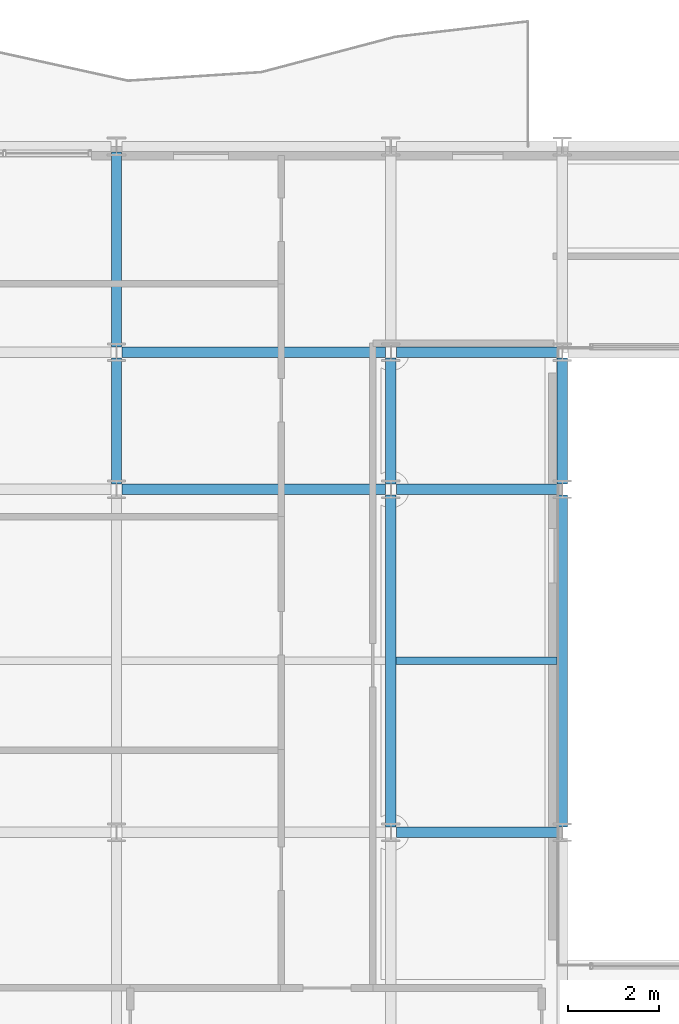
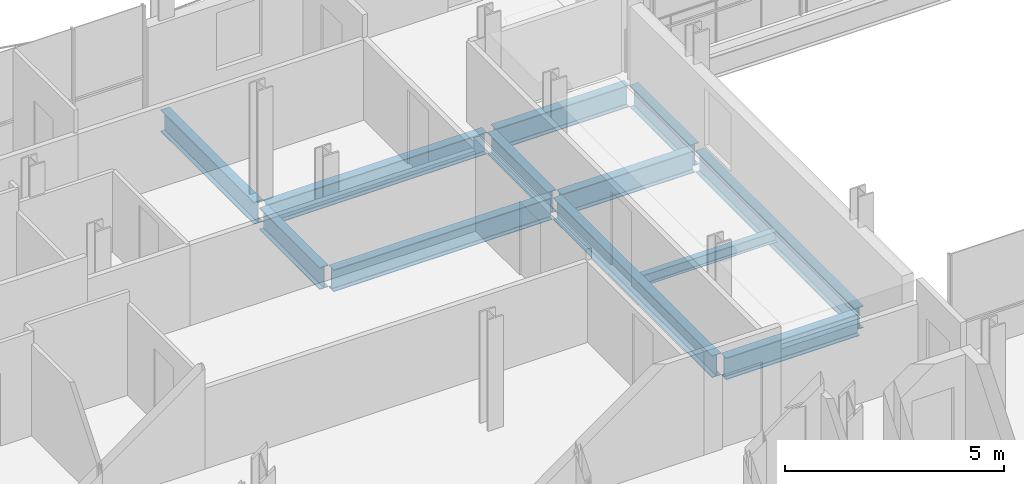
# One storey, part 10 of 41: 12 beams.
"""IFC4 building model written with IfcOpenShell, lengths in metres."""

import ifcopenshell
import ifcopenshell.guid

model = None  # the IFC model being written
_history = None  # IfcOwnerHistory: only IFC2X3 demands one
_inside = {}  # id of a spatial element -> (the spatial element, [elements in it])
_under = {}  # id of a project, library or spatial element -> (it, [spatial elements below it])
_declared = {}  # id of a project -> (the project, [libraries it declares])
_typed = {}  # id of a type object -> (the type object, [elements of that type])
_made_of = {}  # id of a material, layer set ... -> (it, [elements and type objects made of it])


def new_model(schema):
    """Start an empty IFC model of exactly this schema.

    Asked for "IFC4X3", IfcOpenShell would pick the latest addendum, in which some entities
    have other attributes; the version numbers below select the first issue.
    IFC2X3 requires an IfcOwnerHistory on every rooted entity: one is made here for all.
    """
    global model, _history
    if schema == "IFC4X3":
        model = ifcopenshell.file(schema_version=(4, 3, 0, 0))
    else:
        model = ifcopenshell.file(schema=schema)
    _inside.clear()
    _under.clear()
    _declared.clear()
    _typed.clear()
    _made_of.clear()
    _history = None
    if model.schema == "IFC2X3":
        org = make("IfcOrganization", Name="unknown")
        user = make(
            "IfcPersonAndOrganization",
            ThePerson=make("IfcPerson", FamilyName="unknown"),
            TheOrganization=org,
        )
        app = make(
            "IfcApplication",
            ApplicationDeveloper=org,
            Version="unknown",
            ApplicationFullName="unknown",
            ApplicationIdentifier="unknown",
        )
        _history = make(
            "IfcOwnerHistory",
            OwningUser=user,
            OwningApplication=app,
            ChangeAction="ADDED",
            CreationDate=0,
        )
    return model


def make(cls, **values):
    """One entity of the class cls with the attributes given. An attribute that is None is left unset."""
    return model.create_entity(
        cls, **{name: value for name, value in values.items() if value is not None}
    )


def rooted(cls, **values):
    """An entity with a GlobalId (a new one), such as an element, a storey or a relation."""
    return make(cls, GlobalId=ifcopenshell.guid.new(), OwnerHistory=_history, **values)


def si_unit(unit_type, name, prefix=None):
    """IfcSIUnit, for example si_unit("LENGTHUNIT", "METRE", prefix="MILLI")."""
    return make("IfcSIUnit", UnitType=unit_type, Prefix=prefix, Name=name)


def assignment(units):
    """IfcUnitAssignment: the units of a project."""
    return None if units is None else make("IfcUnitAssignment", Units=units)


def point(xyz):
    """IfcCartesianPoint."""
    return None if xyz is None else make("IfcCartesianPoint", Coordinates=xyz)


def direction(xyz):
    """IfcDirection."""
    return None if xyz is None else make("IfcDirection", DirectionRatios=xyz)


def frame(location, z_axis=None, x_axis=None):
    """IfcAxis2Placement3D, a coordinate frame: its origin and axes. An axis left out is left unset."""
    return make(
        "IfcAxis2Placement3D",
        Location=point(location),
        Axis=direction(z_axis),
        RefDirection=direction(x_axis),
    )


def frame_2d(location, x_axis=None):
    """IfcAxis2Placement2D, a coordinate frame in the plane: its origin and x axis."""
    return make(
        "IfcAxis2Placement2D", Location=point(location), RefDirection=direction(x_axis)
    )


def origin():
    """The frame at (0, 0, 0) with its axes left unset."""
    return frame((0.0, 0.0, 0.0))


def origin_2d():
    """The frame at (0, 0) in the plane with its x axis left unset."""
    return frame_2d((0.0, 0.0))


def place(relative_to, where):
    """IfcLocalPlacement: puts the frame where relative to a parent placement (None: the world)."""
    return make(
        "IfcLocalPlacement", PlacementRelTo=relative_to, RelativePlacement=where
    )


def context(
    kind, dimensions, precision=None, world=None, true_north=None, identifier=None
):
    """IfcGeometricRepresentationContext, for example the 3D "Model" context."""
    return make(
        "IfcGeometricRepresentationContext",
        ContextIdentifier=identifier,
        ContextType=kind,
        CoordinateSpaceDimension=dimensions,
        Precision=precision,
        WorldCoordinateSystem=world,
        TrueNorth=true_north,
    )


def subcontext(parent, identifier, kind, view, scale=None):
    """IfcGeometricRepresentationSubContext, for example "Body" below "Model"."""
    return make(
        "IfcGeometricRepresentationSubContext",
        ContextIdentifier=identifier,
        ContextType=kind,
        ParentContext=parent,
        TargetScale=scale,
        TargetView=view,
    )


def project(units=None, contexts=None):
    """IfcProject with its units and contexts."""
    return rooted(
        "IfcProject",
        Name="project",
        RepresentationContexts=contexts,
        UnitsInContext=assignment(units),
    )


def spatial(cls, under=None, at=None, **own):
    """A site, building, storey or space (cls), placed at a placement, below another one or the project."""
    s = rooted(cls, ObjectPlacement=at, **own)
    if under is not None:
        _under.setdefault(under.id(), (under, []))[1].append(s)
    return s


def profile(cls, at=None, kind="AREA", **sizes):
    """A parametric profile (cls). Its sizes go by their IFC names, for example OverallWidth=200.0."""
    return make(cls, ProfileType=kind, Position=at, **sizes)


def i_section(**sizes):
    """IfcIShapeProfileDef."""
    return profile("IfcIShapeProfileDef", **sizes)


def extrude(swept, where, along, depth):
    """IfcExtrudedAreaSolid: the profile swept, set in the frame where, extruded along a direction by depth."""
    return make(
        "IfcExtrudedAreaSolid",
        SweptArea=swept,
        Position=where,
        ExtrudedDirection=direction(along),
        Depth=depth,
    )


def shape(context_of_items, identifier, shape_type, items):
    """IfcShapeRepresentation: the items that make up one representation, for example the "Body"."""
    return make(
        "IfcShapeRepresentation",
        ContextOfItems=context_of_items,
        RepresentationIdentifier=identifier,
        RepresentationType=shape_type,
        Items=items,
    )


def material(Name=None, Category=None):
    """IfcMaterial."""
    return make("IfcMaterial", Name=Name, Category=Category)


def material_profile(
    of_material, cross_section, Name=None, Category=None, Priority=None
):
    """IfcMaterialProfile: a cross section and its material."""
    return make(
        "IfcMaterialProfile",
        Name=Name,
        Material=of_material,
        Profile=cross_section,
        Priority=Priority,
        Category=Category,
    )


def profile_set(profiles, Name=None, composite=None):
    """IfcMaterialProfileSet."""
    return make(
        "IfcMaterialProfileSet",
        Name=Name,
        MaterialProfiles=profiles,
        CompositeProfile=composite,
    )


def made_of(thing, what):
    """Note that an element or type object is made of a material, layer set ...; save() writes the relation."""
    if what is not None:
        _made_of.setdefault(what.id(), (what, []))[1].append(thing)
    return thing


def type_object(cls, material=None, **own):
    """A type object (cls), such as IfcWallType, which elements share."""
    return made_of(rooted(cls, **own), material)


def element(
    cls,
    number,
    at=None,
    inside=None,
    cuts=None,
    type_object=None,
    material=None,
    context=None,
    identifier="Body",
    shape_type=None,
    held_by="IfcProductDefinitionShape",
    body=None,
    shapes=None,
    **own,
):
    """One element of the class cls, such as IfcWall. Its Tag is "e" and its number.

    at: its placement. inside: the storey or other place that contains it. cuts: it is an
    opening in that element (IfcRelVoidsElement). A single representation is given by context,
    identifier, shape_type and body (its items); several are given by shapes. held_by: the class
    of the entity that holds the representations. save() writes the other relations.
    """
    e = rooted(cls, Tag="e%d" % number, ObjectPlacement=at, **own)
    if body is not None:
        shapes = [shape(context, identifier, shape_type, body)]
    if shapes is not None:
        e.Representation = make(held_by, Representations=shapes)
    if inside is not None:
        _inside.setdefault(inside.id(), (inside, []))[1].append(e)
    if cuts is not None:
        rooted(
            "IfcRelVoidsElement", RelatingBuildingElement=cuts, RelatedOpeningElement=e
        )
    if type_object is not None:
        _typed.setdefault(type_object.id(), (type_object, []))[1].append(e)
    return made_of(e, material)


def aggregate(whole, parts):
    """IfcRelAggregates: a whole, such as a stair, and the parts it consists of."""
    return rooted("IfcRelAggregates", RelatingObject=whole, RelatedObjects=parts)


def save(model, path):
    """Write the relations noted so far, then the file.

    IfcRelAggregates (storeys below a building ...), IfcRelContainedInSpatialStructure (elements
    in a storey), IfcRelDefinesByType, IfcRelAssociatesMaterial and IfcRelDeclares: one each for
    every whole, place, type object, material and project.
    """
    for whole, parts in _under.values():
        aggregate(whole, parts)
    for where, things in _inside.values():
        rooted(
            "IfcRelContainedInSpatialStructure",
            RelatedElements=things,
            RelatingStructure=where,
        )
    for kind, things in _typed.values():
        rooted("IfcRelDefinesByType", RelatedObjects=things, RelatingType=kind)
    for what, things in _made_of.values():
        rooted("IfcRelAssociatesMaterial", RelatedObjects=things, RelatingMaterial=what)
    for by, libraries in _declared.values():
        rooted("IfcRelDeclares", RelatingContext=by, RelatedDefinitions=libraries)
    model.write(path)


model = new_model("IFC4")

# Units and contexts
model_context = context("Model", 3, precision=1e-05, world=origin(), true_north=direction((0.0, 1.0)))
body_context = subcontext(model_context, "Body", "Model", "MODEL_VIEW")
ifc_project = project(units=[si_unit("LENGTHUNIT", "METRE"), si_unit("AREAUNIT", "SQUARE_METRE"), si_unit("VOLUMEUNIT", "CUBIC_METRE"), si_unit("PLANEANGLEUNIT", "RADIAN"), si_unit("MASSUNIT", "GRAM", prefix="KILO")], contexts=[model_context])

# Site, building, storey
site_placement = place(None, origin())
site = spatial("IfcSite", under=ifc_project, at=site_placement, CompositionType="ELEMENT")
building_placement = place(site_placement, origin())
building = spatial("IfcBuilding", under=site, at=building_placement, Name="Brevholm Reach", CompositionType="ELEMENT")
storey_placement = place(building_placement, frame((0.0, 0.0, 151.10009765625)))
storey = spatial("IfcBuildingStorey", under=building, at=storey_placement, Name="L45", CompositionType="ELEMENT", Elevation=151.10009765625)

# Beams
ifc_material_1 = material(Name="Structural Steel S355J2", Category="steel")
ifc_material_profile_1 = material_profile(ifc_material_1, i_section(OverallWidth=0.1650390625, OverallDepth=0.303466796875, WebThickness=0.006103515625, FlangeThickness=0.01025390625, FilletRadius=0.0087890625, at=origin_2d()), Name="UKB 305x165x40")
ifc_profile_set_1 = profile_set([ifc_material_profile_1], Name="Structural Steel S355J2")
beam_type_1 = type_object("IfcBeamType", Name="BM-B305", PredefinedType="BEAM", material=ifc_profile_set_1)
beam_1_placement = place(storey_placement, frame((18.114501953125, 19.75, -0.371826171875), z_axis=(1.0, 0.0, 0.0), x_axis=(0.0, 1.0, 0.0)))
element("IfcBeam", 1, at=beam_1_placement, inside=storey, type_object=beam_type_1, Name="L45 Composite Secondary Floor Beam", PredefinedType="BEAM", context=body_context, shape_type="SweptSolid", body=[
    extrude(i_section(OverallWidth=0.1650390625, OverallDepth=0.303466796875, WebThickness=0.006103515625, FlangeThickness=0.01025390625, FilletRadius=0.0087890625, at=origin_2d()), origin(), (0.0, 0.0, 1.0), 3.52099609375),
])
ifc_material_2 = material(Name="Structural Steel S355J2", Category="steel")
ifc_material_profile_2 = material_profile(ifc_material_2, i_section(OverallWidth=0.22900390625, OverallDepth=0.6123046875, WebThickness=0.011962890625, FlangeThickness=0.01953125, FilletRadius=0.0126953125, at=origin_2d()), Name="UKB 610x229x125")
ifc_profile_set_2 = profile_set([ifc_material_profile_2], Name="Structural Steel S355J2")
beam_type_2 = type_object("IfcBeamType", Name="BM-SP610", PredefinedType="SPANDREL", material=ifc_profile_set_2)
beam_2_placement = place(storey_placement, frame((18.1201171875, 16.0, -0.526123046875), z_axis=(1.0, 0.0, 0.0), x_axis=(0.0, 1.0, 0.0)))
element("IfcBeam", 2, at=beam_2_placement, inside=storey, type_object=beam_type_2, Name="L45 SP-01 Framing Beam", PredefinedType="SPANDREL", context=body_context, shape_type="SweptSolid", body=[
    extrude(i_section(OverallWidth=0.22900390625, OverallDepth=0.6123046875, WebThickness=0.011962890625, FlangeThickness=0.01953125, FilletRadius=0.0126953125, at=origin_2d()), origin(), (0.0, 0.0, 1.0), 3.509765625),
])
beam_3_placement = place(storey_placement, frame((12.1201171875, 23.5, -0.526123046875), z_axis=(1.0, 0.0, 0.0), x_axis=(0.0, 1.0, 0.0)))
element("IfcBeam", 3, at=beam_3_placement, inside=storey, type_object=beam_type_2, Name="L45 SP-01 Framing Beam", PredefinedType="SPANDREL", context=body_context, shape_type="SweptSolid", body=[
    extrude(i_section(OverallWidth=0.22900390625, OverallDepth=0.6123046875, WebThickness=0.011962890625, FlangeThickness=0.01953125, FilletRadius=0.0126953125, at=origin_2d()), origin(), (0.0, 0.0, 1.0), 5.759765625),
])
beam_4_placement = place(storey_placement, frame((18.1201171875, 23.5, -0.526123046875), z_axis=(1.0, 0.0, 0.0), x_axis=(0.0, 1.0, 0.0)))
element("IfcBeam", 4, at=beam_4_placement, inside=storey, type_object=beam_type_2, Name="L45 SP-01 Framing Beam", PredefinedType="SPANDREL", context=body_context, shape_type="SweptSolid", body=[
    extrude(i_section(OverallWidth=0.22900390625, OverallDepth=0.6123046875, WebThickness=0.011962890625, FlangeThickness=0.01953125, FilletRadius=0.0126953125, at=origin_2d()), origin(), (0.0, 0.0, 1.0), 3.509765625),
])
beam_5_placement = place(storey_placement, frame((12.1201171875, 26.5, -0.526123046875), z_axis=(1.0, 0.0, 0.0), x_axis=(0.0, 1.0, 0.0)))
element("IfcBeam", 5, at=beam_5_placement, inside=storey, type_object=beam_type_2, Name="L45 SP-01 Framing Beam", PredefinedType="SPANDREL", context=body_context, shape_type="SweptSolid", body=[
    extrude(i_section(OverallWidth=0.22900390625, OverallDepth=0.6123046875, WebThickness=0.011962890625, FlangeThickness=0.01953125, FilletRadius=0.0126953125, at=origin_2d()), origin(), (0.0, 0.0, 1.0), 5.759765625),
])
beam_6_placement = place(storey_placement, frame((18.1201171875, 26.5, -0.526123046875), z_axis=(1.0, 0.0, 0.0), x_axis=(0.0, 1.0, 0.0)))
element("IfcBeam", 6, at=beam_6_placement, inside=storey, type_object=beam_type_2, Name="L45 SP-01 Framing Beam", PredefinedType="SPANDREL", context=body_context, shape_type="SweptSolid", body=[
    extrude(i_section(OverallWidth=0.22900390625, OverallDepth=0.6123046875, WebThickness=0.011962890625, FlangeThickness=0.01953125, FilletRadius=0.0126953125, at=origin_2d()), origin(), (0.0, 0.0, 1.0), 3.509765625),
])
beam_7_placement = place(storey_placement, frame((12.0, 23.6201171875, -0.526123046875), z_axis=(0.0, 1.0, 0.0), x_axis=(-1.0, 0.0, 0.0)))
element("IfcBeam", 7, at=beam_7_placement, inside=storey, type_object=beam_type_2, Name="L45 SP-01 Framing Beam", PredefinedType="SPANDREL", context=body_context, shape_type="SweptSolid", body=[
    extrude(i_section(OverallWidth=0.22900390625, OverallDepth=0.6123046875, WebThickness=0.011962890625, FlangeThickness=0.01953125, FilletRadius=0.0126953125, at=origin_2d()), origin(), (0.0, 0.0, 1.0), 2.759765625),
])
beam_8_placement = place(storey_placement, frame((12.0, 26.6201171875, -0.526123046875), z_axis=(0.0, 1.0, 0.0), x_axis=(-1.0, 0.0, 0.0)))
element("IfcBeam", 8, at=beam_8_placement, inside=storey, type_object=beam_type_2, Name="L45 SP-01 Framing Beam", PredefinedType="SPANDREL", context=body_context, shape_type="SweptSolid", body=[
    extrude(i_section(OverallWidth=0.22900390625, OverallDepth=0.6123046875, WebThickness=0.011962890625, FlangeThickness=0.01953125, FilletRadius=0.0126953125, at=origin_2d()), origin(), (0.0, 0.0, 1.0), 4.259765625),
])
beam_9_placement = place(storey_placement, frame((18.0, 16.1201171875, -0.526123046875), z_axis=(0.0, 1.0, 0.0), x_axis=(-1.0, 0.0, 0.0)))
element("IfcBeam", 9, at=beam_9_placement, inside=storey, type_object=beam_type_2, Name="L45 SP-01 Framing Beam", PredefinedType="SPANDREL", context=body_context, shape_type="SweptSolid", body=[
    extrude(i_section(OverallWidth=0.22900390625, OverallDepth=0.6123046875, WebThickness=0.011962890625, FlangeThickness=0.01953125, FilletRadius=0.0126953125, at=origin_2d()), origin(), (0.0, 0.0, 1.0), 7.259765625),
])
beam_10_placement = place(storey_placement, frame((18.0, 23.6201171875, -0.526123046875), z_axis=(0.0, 1.0, 0.0), x_axis=(-1.0, 0.0, 0.0)))
element("IfcBeam", 10, at=beam_10_placement, inside=storey, type_object=beam_type_2, Name="L45 SP-01 Framing Beam", PredefinedType="SPANDREL", context=body_context, shape_type="SweptSolid", body=[
    extrude(i_section(OverallWidth=0.22900390625, OverallDepth=0.6123046875, WebThickness=0.011962890625, FlangeThickness=0.01953125, FilletRadius=0.0126953125, at=origin_2d()), origin(), (0.0, 0.0, 1.0), 2.759765625),
])
beam_11_placement = place(storey_placement, frame((21.75, 16.1201171875, -0.526123046875), z_axis=(0.0, 1.0, 0.0), x_axis=(-1.0, 0.0, 0.0)))
element("IfcBeam", 11, at=beam_11_placement, inside=storey, type_object=beam_type_2, Name="L45 SP-01 Framing Beam", PredefinedType="SPANDREL", context=body_context, shape_type="SweptSolid", body=[
    extrude(i_section(OverallWidth=0.22900390625, OverallDepth=0.6123046875, WebThickness=0.011962890625, FlangeThickness=0.01953125, FilletRadius=0.0126953125, at=origin_2d()), origin(), (0.0, 0.0, 1.0), 7.259765625),
])
beam_12_placement = place(storey_placement, frame((21.75, 23.6201171875, -0.526123046875), z_axis=(0.0, 1.0, 0.0), x_axis=(-1.0, 0.0, 0.0)))
element("IfcBeam", 12, at=beam_12_placement, inside=storey, type_object=beam_type_2, Name="L45 SP-01 Framing Beam", PredefinedType="SPANDREL", context=body_context, shape_type="SweptSolid", body=[
    extrude(i_section(OverallWidth=0.22900390625, OverallDepth=0.6123046875, WebThickness=0.011962890625, FlangeThickness=0.01953125, FilletRadius=0.0126953125, at=origin_2d()), origin(), (0.0, 0.0, 1.0), 2.759765625),
])

save(model, "model.ifc")
